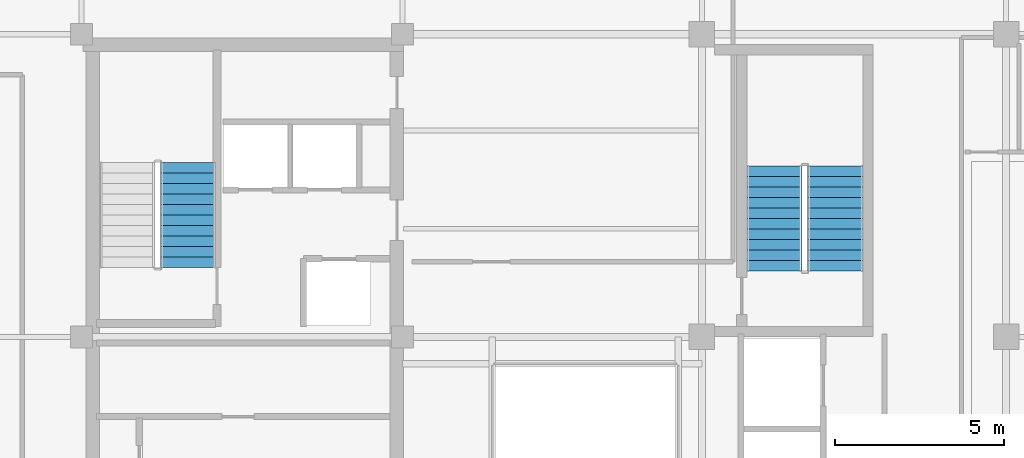
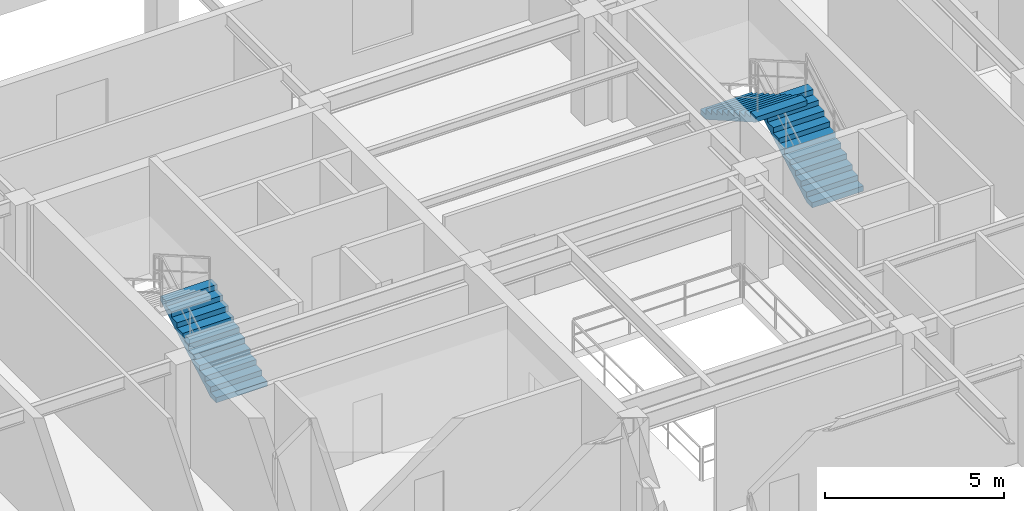
# One storey, part 6 of 10: 3 stair flights, 2 elements without a shape of their own.
"""IFC4 building model written with IfcOpenShell, lengths in metres."""

from ifc_helpers import new_model, si_unit, direction, frame, origin, place, context, subcontext, project, spatial, polyline, outline, extrude, material, type_object, element, aggregate, save


model = new_model("IFC4")

# Units and contexts
model_context = context("Model", 3, precision=1e-05, world=origin(), true_north=direction((0.0, 1.0)))
body_context = subcontext(model_context, "Body", "Model", "MODEL_VIEW")
ifc_project = project(units=[si_unit("LENGTHUNIT", "METRE"), si_unit("AREAUNIT", "SQUARE_METRE"), si_unit("VOLUMEUNIT", "CUBIC_METRE"), si_unit("PLANEANGLEUNIT", "RADIAN"), si_unit("MASSUNIT", "GRAM", prefix="KILO")], contexts=[model_context])

# Site, building, storey
site_placement = place(None, origin())
site = spatial("IfcSite", under=ifc_project, at=site_placement, CompositionType="ELEMENT")
building_placement = place(site_placement, origin())
building = spatial("IfcBuilding", under=site, at=building_placement, Name="Kundavana Baori Tower", CompositionType="ELEMENT")
storey_placement = place(building_placement, frame((0.0, 0.0, 280.39990234375)))
storey = spatial("IfcBuildingStorey", under=building, at=storey_placement, Name="L69", CompositionType="ELEMENT", Elevation=280.39990234375)

# Stair, stair flight
ifc_material_1 = material(Name="Concrete C40/50", Category="concrete")
stair_type = type_object("IfcStairType", Name="STR-DOG-1650", PredefinedType="HALF_TURN_STAIR", material=ifc_material_1)
stair_1_placement = place(storey_placement, origin())
stair_1 = element("IfcStair", 1, at=stair_1_placement, inside=storey, type_object=stair_type, Name="L69 Protected Exit Stair ST2", PredefinedType="HALF_TURN_STAIR")
ifc_material_2 = material(Name="Concrete C40/50", Category="concrete")
stair_flight_type = type_object("IfcStairFlightType", Name="SFL-RC-1650", PredefinedType="STRAIGHT", material=ifc_material_2)
stair_flight_1_placement = place(storey_placement, frame((18.614990234375, 35.050048828125, 0.0), z_axis=(0.0, 0.0, 1.0), x_axis=(0.0, 1.0, 0.0)))
stair_flight_1 = element("IfcStairFlight", 2, at=stair_flight_1_placement, type_object=stair_flight_type, Name="ST2 flight 1", NumberOfRisers=11, NumberOfTreads=10, PredefinedType="STRAIGHT", RiserHeight=0.177272727, TreadLength=0.31, context=body_context, shape_type="SweptSolid", body=[
    extrude(outline(polyline([(0.0, 0.0), (0.0, 0.17724609375), (0.31005859375, 0.17724609375), (0.31005859375, 0.3544921875), (0.6201171875, 0.3544921875), (0.6201171875, 0.53173828125), (0.929931640625, 0.53173828125), (0.929931640625, 0.708984375), (1.239990234375, 0.708984375), (1.239990234375, 0.886474609375), (1.550048828125, 0.886474609375), (1.550048828125, 1.063720703125), (1.860107421875, 1.063720703125), (1.860107421875, 1.240966796875), (2.169921875, 1.240966796875), (2.169921875, 1.418212890625), (2.47998046875, 1.418212890625), (2.47998046875, 1.595458984375), (2.7900390625, 1.595458984375), (2.7900390625, 1.772705078125), (3.10009765625, 1.772705078125), (3.10009765625, 1.949951171875), (3.10009765625, 1.60009765625), (0.302001953125, 0.0), (0.0, 0.0)])), frame((0.0, 0.824951171875, 0.0), z_axis=(0.0, -1.0, 0.0), x_axis=(1.0, 0.0, 0.0)), (0.0, 0.0, 1.0), 1.64990234375),
])
aggregate(stair_1, [stair_flight_1])

# Stair, stair flights
stair_2_placement = place(storey_placement, origin())
stair_2 = element("IfcStair", 3, at=stair_2_placement, inside=storey, type_object=stair_type, Name="L69 Protected Exit Stair ST3", PredefinedType="HALF_TURN_STAIR")
stair_flight_2_placement = place(storey_placement, frame((37.7548828125, 34.949951171875, 0.0), z_axis=(0.0, 0.0, 1.0), x_axis=(0.0, 1.0, 0.0)))
stair_flight_2 = element("IfcStairFlight", 4, at=stair_flight_2_placement, type_object=stair_flight_type, Name="ST3 flight 1", NumberOfRisers=11, NumberOfTreads=10, PredefinedType="STRAIGHT", RiserHeight=0.177272727, TreadLength=0.31, context=body_context, shape_type="SweptSolid", body=[
    extrude(outline(polyline([(0.0, 0.0), (0.0, 0.17724609375), (0.31005859375, 0.17724609375), (0.31005859375, 0.3544921875), (0.6201171875, 0.3544921875), (0.6201171875, 0.53173828125), (0.929931640625, 0.53173828125), (0.929931640625, 0.708984375), (1.239990234375, 0.708984375), (1.239990234375, 0.886474609375), (1.550048828125, 0.886474609375), (1.550048828125, 1.063720703125), (1.860107421875, 1.063720703125), (1.860107421875, 1.240966796875), (2.169921875, 1.240966796875), (2.169921875, 1.418212890625), (2.47998046875, 1.418212890625), (2.47998046875, 1.595458984375), (2.7900390625, 1.595458984375), (2.7900390625, 1.772705078125), (3.10009765625, 1.772705078125), (3.10009765625, 1.949951171875), (3.10009765625, 1.60009765625), (0.302001953125, 0.0), (0.0, 0.0)])), frame((0.0, 0.824951171875, 0.0), z_axis=(0.0, -1.0, 0.0), x_axis=(1.0, 0.0, 0.0)), (0.0, 0.0, 1.0), 1.64990234375),
])
stair_flight_3_placement = place(storey_placement, frame((35.945068359375, 38.050048828125, 1.9501953125), z_axis=(0.0, 0.0, 1.0), x_axis=(0.0, -1.0, 0.0)))
stair_flight_3 = element("IfcStairFlight", 5, at=stair_flight_3_placement, type_object=stair_flight_type, Name="ST3 flight 2", NumberOfRisers=11, NumberOfTreads=10, PredefinedType="STRAIGHT", RiserHeight=0.177272727, TreadLength=0.31, context=body_context, shape_type="SweptSolid", body=[
    extrude(outline(polyline([(0.0, 0.0), (0.0, 0.17724609375), (0.31005859375, 0.17724609375), (0.31005859375, 0.3544921875), (0.6201171875, 0.3544921875), (0.6201171875, 0.53173828125), (0.929931640625, 0.53173828125), (0.929931640625, 0.708984375), (1.239990234375, 0.708984375), (1.239990234375, 0.886474609375), (1.550048828125, 0.886474609375), (1.550048828125, 1.063720703125), (1.860107421875, 1.063720703125), (1.860107421875, 1.240966796875), (2.169921875, 1.240966796875), (2.169921875, 1.418212890625), (2.47998046875, 1.418212890625), (2.47998046875, 1.595458984375), (2.7900390625, 1.595458984375), (2.7900390625, 1.772705078125), (3.10009765625, 1.772705078125), (3.10009765625, 1.949951171875), (3.10009765625, 1.60009765625), (0.302001953125, 0.0), (0.0, 0.0)])), frame((0.0, 0.824951171875, 0.0), z_axis=(0.0, -1.0, 0.0), x_axis=(1.0, 0.0, 0.0)), (0.0, 0.0, 1.0), 1.64990234375),
])
aggregate(stair_2, [stair_flight_2, stair_flight_3])

save(model, "model.ifc")
